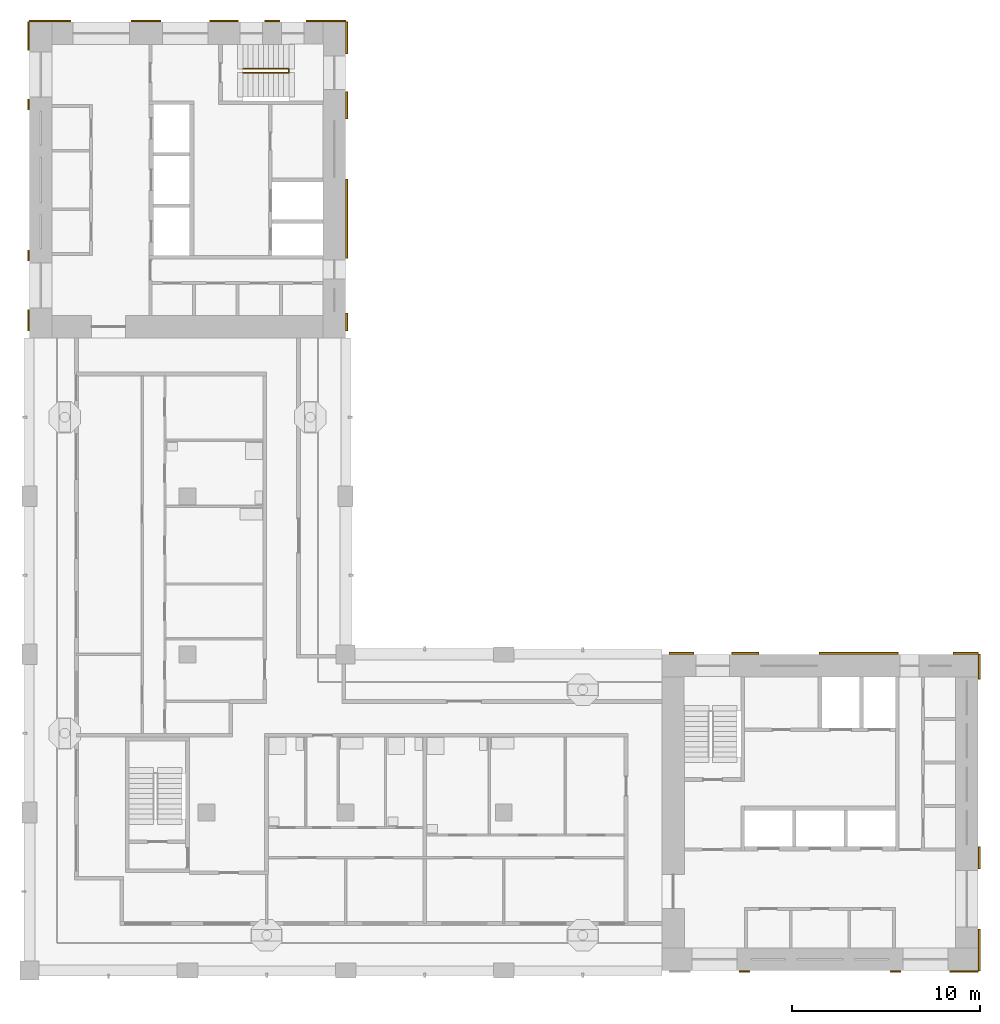
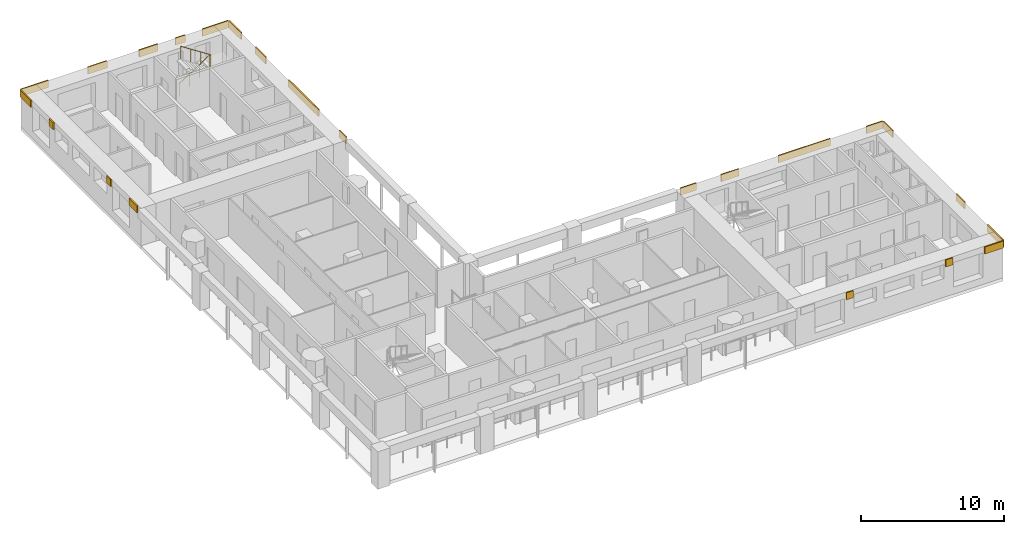
# One storey, part 9 of 12: 23 shading devices, 1 railing.
"""IFC4 building model written with IfcOpenShell, lengths in metres."""

from ifc_helpers import new_model, si_unit, direction, frame, origin, origin_2d, place, context, subcontext, project, spatial, rectangle, circle, extrude, material, layer, layer_set, type_object, element, save


model = new_model("IFC4")

# Units and contexts
model_context = context("Model", 3, precision=1e-05, world=origin(), true_north=direction((0.0, 1.0)))
body_context = subcontext(model_context, "Body", "Model", "MODEL_VIEW")
ifc_project = project(units=[si_unit("LENGTHUNIT", "METRE"), si_unit("AREAUNIT", "SQUARE_METRE"), si_unit("VOLUMEUNIT", "CUBIC_METRE"), si_unit("PLANEANGLEUNIT", "RADIAN"), si_unit("MASSUNIT", "GRAM", prefix="KILO")], contexts=[model_context])

# Site, building, storey
site_placement = place(None, origin())
site = spatial("IfcSite", under=ifc_project, at=site_placement, CompositionType="ELEMENT")
building_placement = place(site_placement, origin())
building = spatial("IfcBuilding", under=site, at=building_placement, Name="Vermilion Gate Residences", CompositionType="ELEMENT")
storey_placement = place(building_placement, frame((0.0, 0.0, 238.699951171875)))
storey = spatial("IfcBuildingStorey", under=building, at=storey_placement, Name="L62", CompositionType="ELEMENT", Elevation=238.699951171875)

# Railing
ifc_material_1 = material(Name="Steel S355", Category="steel")
railing_type = type_object("IfcRailingType", Name="STAIR GUARD 1100 STEEL", PredefinedType="GUARDRAIL", material=ifc_material_1)
railing_placement = place(storey_placement, frame((19.75, 56.300048828125, 0.175048828125)))
element("IfcRailing", 1, at=railing_placement, inside=storey, type_object=railing_type, Name="Stair well guard STB1-62", PredefinedType="GUARDRAIL", context=body_context, shape_type="SweptSolid", body=[
    extrude(circle(Radius=0.02392578125, at=origin_2d()), frame((0.0, 0.0, 1.076171875), z_axis=(0.839153699163, 0.0, 0.543894354798), x_axis=(0.0, 1.0, 0.0)), (0.0, 0.0, 1.0), 2.895751953125),
    extrude(circle(Radius=0.02392578125, at=origin_2d()), frame((2.429931640625, 0.0, 2.65087890625), z_axis=(0.0, -0.752405939678, 0.658699705433), x_axis=(1.0, 0.0, 0.0)), (0.0, 0.0, 1.0), 0.265869140625),
    extrude(circle(Radius=0.02392578125, at=origin_2d()), frame((2.429931640625, -0.199951171875, 2.826171875), z_axis=(-0.839153699163, 0.0, 0.543894354798), x_axis=(0.0, -1.0, 0.0)), (0.0, 0.0, 1.0), 2.895751953125),
    extrude(circle(Radius=0.02099609375, at=origin_2d()), origin(), (0.0, 0.0, 1.0), 1.052001953125),
    extrude(circle(Radius=0.02099609375, at=origin_2d()), frame((0.81005859375, 0.0, 0.52490234375)), (0.0, 0.0, 1.0), 1.052001953125),
    extrude(circle(Radius=0.02099609375, at=origin_2d()), frame((1.619873046875, 0.0, 1.050048828125)), (0.0, 0.0, 1.0), 1.052001953125),
    extrude(circle(Radius=0.02099609375, at=origin_2d()), frame((2.429931640625, 0.0, 1.574951171875)), (0.0, 0.0, 1.0), 1.052001953125),
    extrude(circle(Radius=0.02099609375, at=origin_2d()), frame((2.429931640625, -0.199951171875, 1.75)), (0.0, 0.0, 1.0), 1.052001953125),
    extrude(circle(Radius=0.02099609375, at=origin_2d()), frame((1.619873046875, -0.199951171875, 2.27490234375)), (0.0, 0.0, 1.0), 1.052001953125),
    extrude(circle(Radius=0.02099609375, at=origin_2d()), frame((0.81005859375, -0.199951171875, 2.800048828125)), (0.0, 0.0, 1.0), 1.052001953125),
    extrude(circle(Radius=0.02099609375, at=origin_2d()), frame((0.0, -0.199951171875, 3.324951171875)), (0.0, 0.0, 1.0), 1.052001953125),
])

# Shading devices
ifc_material_2 = material(Name="Extruded terracotta", Category="masonry")
ifc_layer = layer(ifc_material_2, 0.10009765625)
ifc_layer_set = layer_set([ifc_layer], Name="TERRACOTTA SPANDREL BAND 600 X 100")
shading_device_type = type_object("IfcShadingDeviceType", Name="TERRACOTTA SPANDREL BAND 600 X 100", PredefinedType="USERDEFINED", material=ifc_layer_set)
for number, where, z_axis, x_axis, name in (
    (2, (46.3798828125, 8.35009765625, 2.6201171875), (0.0, 0.0, 1.0), (1.0, 0.0, 0.0), "SPANDREL BAND"),
    (3, (54.419921875, 8.35009765625, 2.6201171875), (0.0, 0.0, 1.0), (1.0, 0.0, 0.0), "SPANDREL BAND"),
):
    element("IfcShadingDevice", number, at=place(storey_placement, frame(where, z_axis=z_axis, x_axis=x_axis)), inside=storey, type_object=shading_device_type, Name=name, ObjectType="BAND", PredefinedType="USERDEFINED", context=body_context, shape_type="SweptSolid", body=[
        extrude(rectangle(XDim=0.56005859375, YDim=0.10009765625, at=origin_2d()), origin(), (0.0, 0.0, 1.0), 0.60009765625),
    ])
shading_device_1_placement = place(storey_placement, frame((58.050048828125, 8.35009765625, 2.6201171875), z_axis=(0.0, 0.0, 1.0), x_axis=(1.0, 0.0, 0.0)))
element("IfcShadingDevice", 4, at=shading_device_1_placement, inside=storey, type_object=shading_device_type, Name="SPANDREL BAND", ObjectType="BAND", PredefinedType="USERDEFINED", context=body_context, shape_type="SweptSolid", body=[
    extrude(rectangle(XDim=1.5, YDim=0.10009765625, at=origin_2d()), origin(), (0.0, 0.0, 1.0), 0.60009765625),
])
shading_device_2_placement = place(storey_placement, frame((43.050048828125, 25.25, 2.6201171875), z_axis=(0.0, 0.0, 1.0), x_axis=(1.0, 0.0, 0.0)))
element("IfcShadingDevice", 5, at=shading_device_2_placement, inside=storey, type_object=shading_device_type, Name="SPANDREL BAND", ObjectType="BAND", PredefinedType="USERDEFINED", context=body_context, shape_type="SweptSolid", body=[
    extrude(rectangle(XDim=1.300048828125, YDim=0.10009765625, at=origin_2d()), origin(), (0.0, 0.0, 1.0), 0.60009765625),
])
shading_device_3_placement = place(storey_placement, frame((46.425048828125, 25.25, 2.6201171875), z_axis=(0.0, 0.0, 1.0), x_axis=(1.0, 0.0, 0.0)))
element("IfcShadingDevice", 6, at=shading_device_3_placement, inside=storey, type_object=shading_device_type, Name="SPANDREL BAND", ObjectType="BAND", PredefinedType="USERDEFINED", context=body_context, shape_type="SweptSolid", body=[
    extrude(rectangle(XDim=1.449951171875, YDim=0.10009765625, at=origin_2d()), origin(), (0.0, 0.0, 1.0), 0.60009765625),
])
shading_device_4_placement = place(storey_placement, frame((52.449951171875, 25.25, 2.6201171875), z_axis=(0.0, 0.0, 1.0), x_axis=(1.0, 0.0, 0.0)))
element("IfcShadingDevice", 7, at=shading_device_4_placement, inside=storey, type_object=shading_device_type, Name="SPANDREL BAND", ObjectType="BAND", PredefinedType="USERDEFINED", context=body_context, shape_type="SweptSolid", body=[
    extrude(rectangle(XDim=4.199951171875, YDim=0.10009765625, at=origin_2d()), origin(), (0.0, 0.0, 1.0), 0.60009765625),
])
shading_device_5_placement = place(storey_placement, frame((58.137451171875, 25.25, 2.6201171875), z_axis=(0.0, 0.0, 1.0), x_axis=(1.0, 0.0, 0.0)))
element("IfcShadingDevice", 8, at=shading_device_5_placement, inside=storey, type_object=shading_device_type, Name="SPANDREL BAND", ObjectType="BAND", PredefinedType="USERDEFINED", context=body_context, shape_type="SweptSolid", body=[
    extrude(rectangle(XDim=1.324951171875, YDim=0.10009765625, at=origin_2d()), origin(), (0.0, 0.0, 1.0), 0.60009765625),
])
shading_device_6_placement = place(storey_placement, frame((58.85009765625, 9.50244140625, 2.6201171875), z_axis=(0.0, 0.0, 1.0), x_axis=(0.0, 1.0, 0.0)))
element("IfcShadingDevice", 9, at=shading_device_6_placement, inside=storey, type_object=shading_device_type, Name="SPANDREL BAND", ObjectType="BAND", PredefinedType="USERDEFINED", context=body_context, shape_type="SweptSolid", body=[
    extrude(rectangle(XDim=2.205078125, YDim=0.10009765625, at=origin_2d()), origin(), (0.0, 0.0, 1.0), 0.60009765625),
])
shading_device_7_placement = place(storey_placement, frame((58.85009765625, 14.39306640625, 2.6201171875), z_axis=(0.0, 0.0, 1.0), x_axis=(0.0, 1.0, 0.0)))
element("IfcShadingDevice", 10, at=shading_device_7_placement, inside=storey, type_object=shading_device_type, Name="SPANDREL BAND", ObjectType="BAND", PredefinedType="USERDEFINED", context=body_context, shape_type="SweptSolid", body=[
    extrude(rectangle(XDim=1.17626953125, YDim=0.10009765625, at=origin_2d()), origin(), (0.0, 0.0, 1.0), 0.60009765625),
])
shading_device_8_placement = place(storey_placement, frame((58.85009765625, 24.54443359375, 2.6201171875), z_axis=(0.0, 0.0, 1.0), x_axis=(0.0, 1.0, 0.0)))
element("IfcShadingDevice", 11, at=shading_device_8_placement, inside=storey, type_object=shading_device_type, Name="SPANDREL BAND", ObjectType="BAND", PredefinedType="USERDEFINED", context=body_context, shape_type="SweptSolid", body=[
    extrude(rectangle(XDim=1.311279296875, YDim=0.10009765625, at=origin_2d()), origin(), (0.0, 0.0, 1.0), 0.60009765625),
])
shading_device_9_placement = place(storey_placement, frame((9.50244140625, 58.85009765625, 2.6201171875), z_axis=(0.0, 0.0, 1.0), x_axis=(1.0, 0.0, 0.0)))
element("IfcShadingDevice", 12, at=shading_device_9_placement, inside=storey, type_object=shading_device_type, Name="SPANDREL BAND", ObjectType="BAND", PredefinedType="USERDEFINED", context=body_context, shape_type="SweptSolid", body=[
    extrude(rectangle(XDim=2.205078125, YDim=0.10009765625, at=origin_2d()), origin(), (0.0, 0.0, 1.0), 0.60009765625),
])
shading_device_10_placement = place(storey_placement, frame((14.590087890625, 58.85009765625, 2.6201171875), z_axis=(0.0, 0.0, 1.0), x_axis=(1.0, 0.0, 0.0)))
element("IfcShadingDevice", 13, at=shading_device_10_placement, inside=storey, type_object=shading_device_type, Name="SPANDREL BAND", ObjectType="BAND", PredefinedType="USERDEFINED", context=body_context, shape_type="SweptSolid", body=[
    extrude(rectangle(XDim=1.570068359375, YDim=0.10009765625, at=origin_2d()), origin(), (0.0, 0.0, 1.0), 0.60009765625),
])
shading_device_11_placement = place(storey_placement, frame((18.734130859375, 58.85009765625, 2.6201171875), z_axis=(0.0, 0.0, 1.0), x_axis=(1.0, 0.0, 0.0)))
element("IfcShadingDevice", 14, at=shading_device_11_placement, inside=storey, type_object=shading_device_type, Name="SPANDREL BAND", ObjectType="BAND", PredefinedType="USERDEFINED", context=body_context, shape_type="SweptSolid", body=[
    extrude(rectangle(XDim=1.518310546875, YDim=0.10009765625, at=origin_2d()), origin(), (0.0, 0.0, 1.0), 0.60009765625),
])
shading_device_12_placement = place(storey_placement, frame((21.294921875, 58.85009765625, 2.6201171875), z_axis=(0.0, 0.0, 1.0), x_axis=(1.0, 0.0, 0.0)))
element("IfcShadingDevice", 15, at=shading_device_12_placement, inside=storey, type_object=shading_device_type, Name="SPANDREL BAND", ObjectType="BAND", PredefinedType="USERDEFINED", context=body_context, shape_type="SweptSolid", body=[
    extrude(rectangle(XDim=0.803466796875, YDim=0.10009765625, at=origin_2d()), origin(), (0.0, 0.0, 1.0), 0.60009765625),
])
shading_device_13_placement = place(storey_placement, frame((24.1484375, 58.85009765625, 2.6201171875), z_axis=(0.0, 0.0, 1.0), x_axis=(1.0, 0.0, 0.0)))
element("IfcShadingDevice", 16, at=shading_device_13_placement, inside=storey, type_object=shading_device_type, Name="SPANDREL BAND", ObjectType="BAND", PredefinedType="USERDEFINED", context=body_context, shape_type="SweptSolid", body=[
    extrude(rectangle(XDim=2.103271484375, YDim=0.10009765625, at=origin_2d()), origin(), (0.0, 0.0, 1.0), 0.60009765625),
])
shading_device_14_placement = place(storey_placement, frame((8.35009765625, 42.949951171875, 2.6201171875), z_axis=(0.0, 0.0, 1.0), x_axis=(0.0, 1.0, 0.0)))
element("IfcShadingDevice", 17, at=shading_device_14_placement, inside=storey, type_object=shading_device_type, Name="SPANDREL BAND", ObjectType="BAND", PredefinedType="USERDEFINED", context=body_context, shape_type="SweptSolid", body=[
    extrude(rectangle(XDim=1.10009765625, YDim=0.10009765625, at=origin_2d()), origin(), (0.0, 0.0, 1.0), 0.60009765625),
])
for number, where, z_axis, x_axis, name in (
    (18, (8.35009765625, 46.3798828125, 2.6201171875), (0.0, 0.0, 1.0), (0.0, 1.0, 0.0), "SPANDREL BAND"),
    (19, (8.35009765625, 54.419921875, 2.6201171875), (0.0, 0.0, 1.0), (0.0, 1.0, 0.0), "SPANDREL BAND"),
):
    element("IfcShadingDevice", number, at=place(storey_placement, frame(where, z_axis=z_axis, x_axis=x_axis)), inside=storey, type_object=shading_device_type, Name=name, ObjectType="BAND", PredefinedType="USERDEFINED", context=body_context, shape_type="SweptSolid", body=[
        extrude(rectangle(XDim=0.56005859375, YDim=0.10009765625, at=origin_2d()), origin(), (0.0, 0.0, 1.0), 0.60009765625),
    ])
shading_device_15_placement = place(storey_placement, frame((8.35009765625, 58.050048828125, 2.6201171875), z_axis=(0.0, 0.0, 1.0), x_axis=(0.0, 1.0, 0.0)))
element("IfcShadingDevice", 20, at=shading_device_15_placement, inside=storey, type_object=shading_device_type, Name="SPANDREL BAND", ObjectType="BAND", PredefinedType="USERDEFINED", context=body_context, shape_type="SweptSolid", body=[
    extrude(rectangle(XDim=1.5, YDim=0.10009765625, at=origin_2d()), origin(), (0.0, 0.0, 1.0), 0.60009765625),
])
shading_device_16_placement = place(storey_placement, frame((25.25, 42.862548828125, 2.6201171875), z_axis=(0.0, 0.0, 1.0), x_axis=(0.0, 1.0, 0.0)))
element("IfcShadingDevice", 21, at=shading_device_16_placement, inside=storey, type_object=shading_device_type, Name="SPANDREL BAND", ObjectType="BAND", PredefinedType="USERDEFINED", context=body_context, shape_type="SweptSolid", body=[
    extrude(rectangle(XDim=0.925048828125, YDim=0.10009765625, at=origin_2d()), origin(), (0.0, 0.0, 1.0), 0.60009765625),
])
shading_device_17_placement = place(storey_placement, frame((25.25, 48.35009765625, 2.6201171875), z_axis=(0.0, 0.0, 1.0), x_axis=(0.0, 1.0, 0.0)))
element("IfcShadingDevice", 22, at=shading_device_17_placement, inside=storey, type_object=shading_device_type, Name="SPANDREL BAND", ObjectType="BAND", PredefinedType="USERDEFINED", context=body_context, shape_type="SweptSolid", body=[
    extrude(rectangle(XDim=4.199951171875, YDim=0.10009765625, at=origin_2d()), origin(), (0.0, 0.0, 1.0), 0.60009765625),
])
shading_device_18_placement = place(storey_placement, frame((25.25, 54.375, 2.6201171875), z_axis=(0.0, 0.0, 1.0), x_axis=(0.0, 1.0, 0.0)))
element("IfcShadingDevice", 23, at=shading_device_18_placement, inside=storey, type_object=shading_device_type, Name="SPANDREL BAND", ObjectType="BAND", PredefinedType="USERDEFINED", context=body_context, shape_type="SweptSolid", body=[
    extrude(rectangle(XDim=1.449951171875, YDim=0.10009765625, at=origin_2d()), origin(), (0.0, 0.0, 1.0), 0.60009765625),
])
shading_device_19_placement = place(storey_placement, frame((25.25, 57.949951171875, 2.6201171875), z_axis=(0.0, 0.0, 1.0), x_axis=(0.0, 1.0, 0.0)))
element("IfcShadingDevice", 24, at=shading_device_19_placement, inside=storey, type_object=shading_device_type, Name="SPANDREL BAND", ObjectType="BAND", PredefinedType="USERDEFINED", context=body_context, shape_type="SweptSolid", body=[
    extrude(rectangle(XDim=1.699951171875, YDim=0.10009765625, at=origin_2d()), origin(), (0.0, 0.0, 1.0), 0.60009765625),
])

save(model, "model.ifc")
